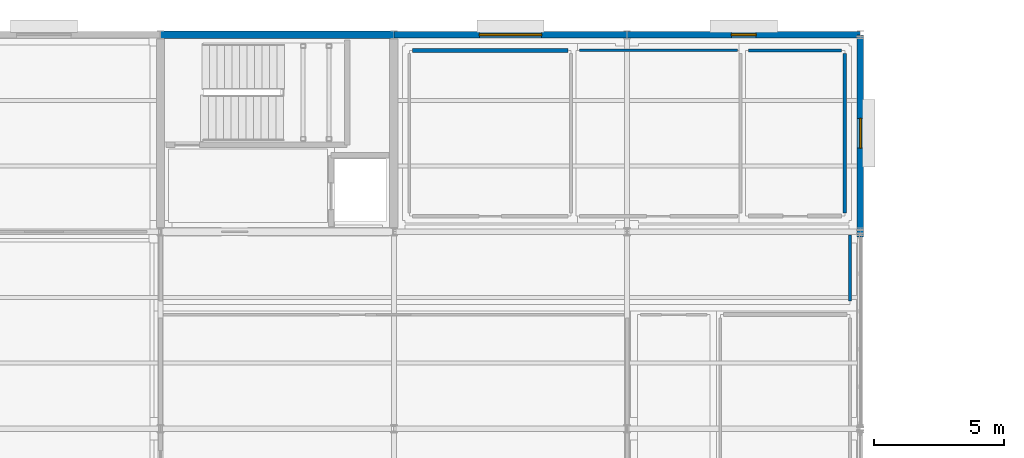
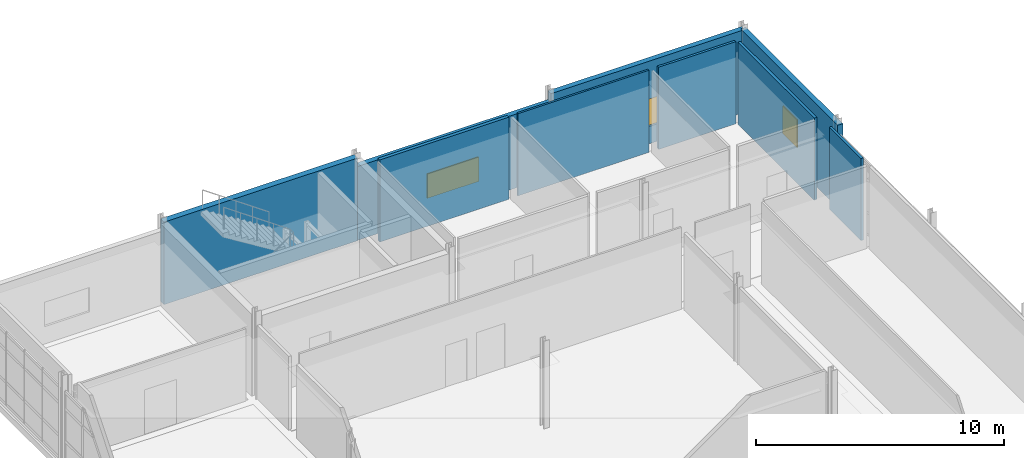
# One storey, part 91 of 96: 9 walls, 3 windows, 3 openings.
"""IFC4 building model written with IfcOpenShell, lengths in metres."""

from ifc_helpers import new_model, si_unit, direction, frame, frame_2d, origin, place, context, subcontext, project, spatial, rectangle, extrude, material, layer, layer_set, type_object, element, fill, save


model = new_model("IFC4")

# Units and contexts
model_context = context("Model", 3, precision=1e-05, world=origin(), true_north=direction((0.0, 1.0)))
body_context = subcontext(model_context, "Body", "Model", "MODEL_VIEW")
ifc_project = project(units=[si_unit("LENGTHUNIT", "METRE"), si_unit("AREAUNIT", "SQUARE_METRE"), si_unit("VOLUMEUNIT", "CUBIC_METRE"), si_unit("PLANEANGLEUNIT", "RADIAN"), si_unit("MASSUNIT", "GRAM", prefix="KILO")], contexts=[model_context])

# Site, building, storey
site_placement = place(None, origin())
site = spatial("IfcSite", under=ifc_project, at=site_placement, CompositionType="ELEMENT")
building_placement = place(site_placement, origin())
building = spatial("IfcBuilding", under=site, at=building_placement, Name="Caisbarro Railhouse Central Library", CompositionType="ELEMENT")
storey_placement = place(building_placement, frame((0.0, 0.0, 13.679931640625)))
storey = spatial("IfcBuildingStorey", under=building, at=storey_placement, Name="L03", CompositionType="ELEMENT", Elevation=13.679931640625)

# Wall, opening, window
ifc_material_1 = material(Name="Concrete C35 insulated architectural precast", Category="concrete")
ifc_layer_1 = layer(ifc_material_1, 0.239990234375, Name="Concrete C35 insulated architectural precast")
ifc_layer_set_1 = layer_set([ifc_layer_1], Name="Concrete C35 insulated architectural precast")
wall_type_1 = type_object("IfcWallType", Name="WAL-EW24", PredefinedType="STANDARD", material=ifc_layer_set_1)
wall_1_placement = place(storey_placement, frame((135.0, 114.0, 0.0), z_axis=(0.0, 0.0, 1.0), x_axis=(1.0, 0.0, 0.0)))
wall_1 = element("IfcWall", 1, at=wall_1_placement, inside=storey, type_object=wall_type_1, Name="EW24 exterior wall L03 #221", PredefinedType="STANDARD", context=body_context, shape_type="SweptSolid", body=[
    extrude(rectangle(XDim=9.0, YDim=0.239990234375, at=frame_2d((4.5, 0.0))), origin(), (0.0, 0.0, 1.0), 3.631103515625),
])
opening_1_placement = place(wall_1_placement, frame((3.300048828125, 0.0, 0.85009765625)))
opening_1 = element("IfcOpeningElement", 2, at=opening_1_placement, cuts=wall_1, Name="Opening W09", PredefinedType="OPENING", context=body_context, shape_type="SweptSolid", body=[
    extrude(rectangle(XDim=2.39990234375, YDim=1.199951171875, at=frame_2d((1.199951171875, 0.60009765625))), frame((0.0, 0.1298828125, 0.0), z_axis=(0.0, -1.0, 0.0), x_axis=(1.0, 0.0, 0.0)), (0.0, 0.0, 1.0), 0.260009765625),
])
ifc_material_2 = material(Name="Double low-e laminated solar-control glass", Category="glass")
window_type_1 = type_object("IfcWindowType", Name="WIN-W09", PartitioningType="SINGLE_PANEL", PredefinedType="WINDOW", material=ifc_material_2)
window_1_placement = place(opening_1_placement, origin())
window_1 = element("IfcWindow", 3, at=window_1_placement, inside=storey, type_object=window_type_1, Name="W09 window L03-077", OverallHeight=1.199951171875, OverallWidth=2.39990234375, PartitioningType="SINGLE_PANEL", PredefinedType="WINDOW", context=body_context, shape_type="SweptSolid", body=[
    extrude(rectangle(XDim=2.39990234375, YDim=1.199951171875, at=frame_2d((1.199951171875, 0.60009765625))), frame((0.0, 0.030029296875, 0.0), z_axis=(0.0, -1.0, 0.0), x_axis=(1.0, 0.0, 0.0)), (0.0, 0.0, 1.0), 0.06005859375),
])
fill(opening_1, window_1)

wall_2_placement = place(storey_placement, frame((144.0, 114.0, 0.0), z_axis=(0.0, 0.0, 1.0), x_axis=(1.0, 0.0, 0.0)))
wall_2 = element("IfcWall", 4, at=wall_2_placement, inside=storey, type_object=wall_type_1, Name="EW24 exterior wall L03 #222", PredefinedType="STANDARD", context=body_context, shape_type="SweptSolid", body=[
    extrude(rectangle(XDim=9.0, YDim=0.239990234375, at=frame_2d((4.5, 0.0))), origin(), (0.0, 0.0, 1.0), 4.06005859375),
])
opening_2_placement = place(wall_2_placement, frame((4.02490234375, 0.0, 0.85009765625)))
opening_2 = element("IfcOpeningElement", 5, at=opening_2_placement, cuts=wall_2, Name="Opening W10", PredefinedType="OPENING", context=body_context, shape_type="SweptSolid", body=[
    extrude(rectangle(XDim=0.949951171875, YDim=1.35009765625, at=frame_2d((0.47509765625, 0.675048828125))), frame((0.0, 0.1298828125, 0.0), z_axis=(0.0, -1.0, 0.0), x_axis=(1.0, 0.0, 0.0)), (0.0, 0.0, 1.0), 0.260009765625),
])
window_type_2 = type_object("IfcWindowType", Name="WIN-W10", PartitioningType="SINGLE_PANEL", PredefinedType="WINDOW", material=ifc_material_2)
window_2_placement = place(opening_2_placement, origin())
window_2 = element("IfcWindow", 6, at=window_2_placement, inside=storey, type_object=window_type_2, Name="W10 window L03-078", OverallHeight=1.35009765625, OverallWidth=0.949951171875, PartitioningType="SINGLE_PANEL", PredefinedType="WINDOW", context=body_context, shape_type="SweptSolid", body=[
    extrude(rectangle(XDim=0.949951171875, YDim=1.35009765625, at=frame_2d((0.47509765625, 0.675048828125))), frame((0.0, 0.030029296875, 0.0), z_axis=(0.0, -1.0, 0.0), x_axis=(1.0, 0.0, 0.0)), (0.0, 0.0, 1.0), 0.06005859375),
])
fill(opening_2, window_2)

wall_3_placement = place(storey_placement, frame((153.0, 106.18994140625, 0.0), z_axis=(0.0, 0.0, 1.0), x_axis=(0.0, 1.0, 0.0)))
wall_3 = element("IfcWall", 7, at=wall_3_placement, inside=storey, type_object=wall_type_1, Name="EW24 exterior wall L03 #223", PredefinedType="STANDARD", context=body_context, shape_type="SweptSolid", body=[
    extrude(rectangle(XDim=7.81005859375, YDim=0.239990234375, at=frame_2d((3.905029296875, 0.0))), origin(), (0.0, 0.0, 1.0), 4.06005859375),
])
opening_3_placement = place(wall_3_placement, frame((3.43505859375, 0.0, 0.85009765625)))
opening_3 = element("IfcOpeningElement", 8, at=opening_3_placement, cuts=wall_3, Name="Opening W11", PredefinedType="OPENING", context=body_context, shape_type="SweptSolid", body=[
    extrude(rectangle(XDim=1.14990234375, YDim=1.35009765625, at=frame_2d((0.574951171875, 0.675048828125))), frame((0.0, 0.1298828125, 0.0), z_axis=(0.0, -1.0, 0.0), x_axis=(1.0, 0.0, 0.0)), (0.0, 0.0, 1.0), 0.260009765625),
])
window_type_3 = type_object("IfcWindowType", Name="WIN-W11", PartitioningType="SINGLE_PANEL", PredefinedType="WINDOW", material=ifc_material_2)
window_3_placement = place(opening_3_placement, origin())
window_3 = element("IfcWindow", 9, at=window_3_placement, inside=storey, type_object=window_type_3, Name="W11 window L03-079", OverallHeight=1.35009765625, OverallWidth=1.14990234375, PartitioningType="SINGLE_PANEL", PredefinedType="WINDOW", context=body_context, shape_type="SweptSolid", body=[
    extrude(rectangle(XDim=1.14990234375, YDim=1.35009765625, at=frame_2d((0.574951171875, 0.675048828125))), frame((0.0, 0.030029296875, 0.0), z_axis=(0.0, -1.0, 0.0), x_axis=(1.0, 0.0, 0.0)), (0.0, 0.0, 1.0), 0.06005859375),
])
fill(opening_3, window_3)

# Walls
ifc_material_3 = material(Name="Concrete C40", Category="concrete")
ifc_layer_2 = layer(ifc_material_3, 0.280029296875, Name="Concrete C40")
ifc_layer_set_2 = layer_set([ifc_layer_2], Name="Concrete C40")
wall_type_2 = type_object("IfcWallType", Name="WAL-EW28", PredefinedType="SOLIDWALL", material=ifc_layer_set_2)
wall_4_placement = place(storey_placement, frame((126.0, 114.0, 0.0), z_axis=(0.0, 0.0, 1.0), x_axis=(1.0, 0.0, 0.0)))
element("IfcWall", 10, at=wall_4_placement, inside=storey, type_object=wall_type_2, Name="EW28 exterior wall L03 #219", PredefinedType="SOLIDWALL", context=body_context, shape_type="SweptSolid", body=[
    extrude(rectangle(XDim=9.0, YDim=0.280029296875, at=frame_2d((4.5, 0.0))), origin(), (0.0, 0.0, 1.0), 4.06005859375),
])
ifc_material_4 = material(Name="Acoustic gypsum board on galvanised steel studs", Category="steel")
ifc_layer_3 = layer(ifc_material_4, 0.090087890625, Name="Acoustic gypsum board on galvanised steel studs")
ifc_layer_set_3 = layer_set([ifc_layer_3], Name="Acoustic gypsum board on galvanised steel studs")
wall_type_3 = type_object("IfcWallType", Name="WAL-IW09", PredefinedType="PARTITIONING", material=ifc_layer_set_3)
wall_5_placement = place(storey_placement, frame((142.156005859375, 113.39990234375, 0.0), z_axis=(0.0, 0.0, 1.0), x_axis=(1.0, 0.0, 0.0)))
element("IfcWall", 11, at=wall_5_placement, inside=storey, type_object=wall_type_3, Name="IW09 partition wall L03 #588", PredefinedType="PARTITIONING", context=body_context, shape_type="SweptSolid", body=[
    extrude(rectangle(XDim=6.095947265625, YDim=0.090087890625, at=frame_2d((3.0478515625, 0.0))), origin(), (0.0, 0.0, 1.0), 4.0400390625),
])
ifc_layer_4 = layer(ifc_material_4, 0.110107421875, Name="Acoustic gypsum board on galvanised steel studs")
ifc_layer_set_4 = layer_set([ifc_layer_4], Name="Acoustic gypsum board on galvanised steel studs")
wall_type_4 = type_object("IfcWallType", Name="WAL-IW11", PredefinedType="PARTITIONING", material=ifc_layer_set_4)
wall_6_placement = place(storey_placement, frame((148.69189453125, 113.39990234375, 0.0), z_axis=(0.0, 0.0, 1.0), x_axis=(1.0, 0.0, 0.0)))
element("IfcWall", 12, at=wall_6_placement, inside=storey, type_object=wall_type_4, Name="IW11 partition wall L03 #591", PredefinedType="PARTITIONING", context=body_context, shape_type="SweptSolid", body=[
    extrude(rectangle(XDim=3.588134765625, YDim=0.110107421875, at=frame_2d((1.7939453125, 0.0))), origin(), (0.0, 0.0, 1.0), 4.0400390625),
])
wall_7_placement = place(storey_placement, frame((152.60009765625, 103.719970703125, 0.0), z_axis=(0.0, 0.0, 1.0), x_axis=(0.0, 1.0, 0.0)))
element("IfcWall", 13, at=wall_7_placement, inside=storey, type_object=wall_type_4, Name="IW11 partition wall L03 #603", PredefinedType="PARTITIONING", context=body_context, shape_type="SweptSolid", body=[
    extrude(rectangle(XDim=2.56005859375, YDim=0.110107421875, at=frame_2d((1.280029296875, 0.0))), origin(), (0.0, 0.0, 1.0), 4.0400390625),
])
ifc_layer_5 = layer(ifc_material_4, 0.1298828125, Name="Acoustic gypsum board on galvanised steel studs")
ifc_layer_set_5 = layer_set([ifc_layer_5], Name="Acoustic gypsum board on galvanised steel studs")
wall_type_5 = type_object("IfcWallType", Name="WAL-IW13", PredefinedType="PARTITIONING", material=ifc_layer_set_5)
wall_8_placement = place(storey_placement, frame((152.39990234375, 107.1201171875, 0.0), z_axis=(0.0, 0.0, 1.0), x_axis=(0.0, 1.0, 0.0)))
element("IfcWall", 14, at=wall_8_placement, inside=storey, type_object=wall_type_5, Name="IW13 partition wall L03 #590", PredefinedType="PARTITIONING", context=body_context, shape_type="SweptSolid", body=[
    extrude(rectangle(XDim=6.159912109375, YDim=0.1298828125, at=frame_2d((3.080078125, 0.0))), origin(), (0.0, 0.0, 1.0), 4.0400390625),
])
ifc_layer_6 = layer(ifc_material_4, 0.14990234375, Name="Acoustic gypsum board on galvanised steel studs")
ifc_layer_set_6 = layer_set([ifc_layer_6], Name="Acoustic gypsum board on galvanised steel studs")
wall_type_6 = type_object("IfcWallType", Name="WAL-IW15", PredefinedType="PARTITIONING", material=ifc_layer_set_6)
wall_9_placement = place(storey_placement, frame((135.719970703125, 113.39990234375, 0.0), z_axis=(0.0, 0.0, 1.0), x_axis=(1.0, 0.0, 0.0)))
element("IfcWall", 15, at=wall_9_placement, inside=storey, type_object=wall_type_6, Name="IW15 partition wall L03 #585", PredefinedType="PARTITIONING", context=body_context, shape_type="SweptSolid", body=[
    extrude(rectangle(XDim=5.99609375, YDim=0.14990234375, at=frame_2d((2.998046875, 0.0))), origin(), (0.0, 0.0, 1.0), 4.0400390625),
])

save(model, "model.ifc")
